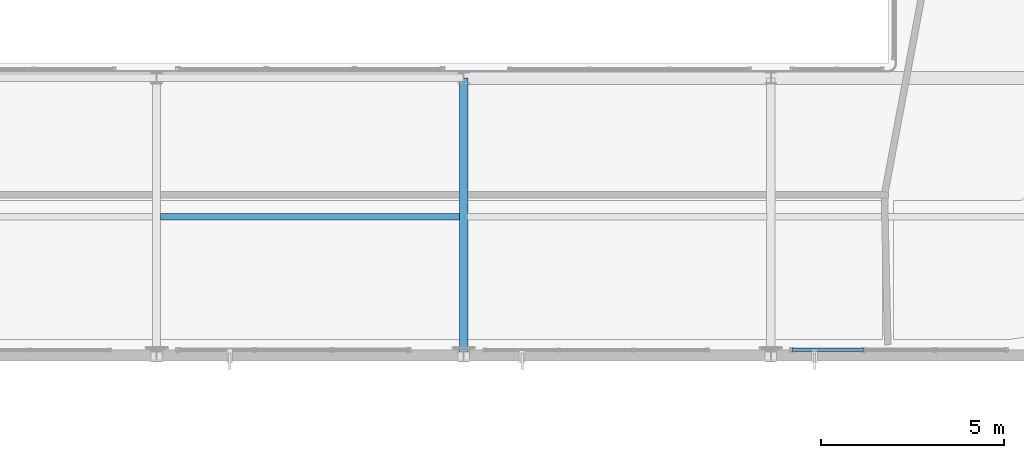
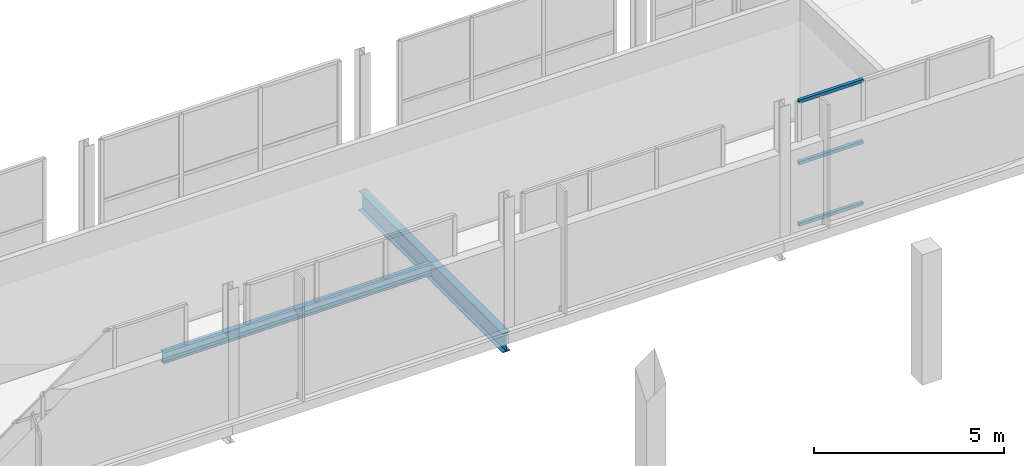
# One storey, part 84 of 151: 3 members, 2 beams, 1 element without a shape of its own.
"""IFC4 building model written with IfcOpenShell, lengths in metres."""

from ifc_helpers import new_model, si_unit, direction, frame, origin, origin_2d, place, context, subcontext, project, spatial, hollow_rectangle, i_section, extrude, material, material_profile, profile_set, type_object, element, aggregate, save


model = new_model("IFC4")

# Units and contexts
model_context = context("Model", 3, precision=1e-05, world=origin(), true_north=direction((0.0, 1.0)))
body_context = subcontext(model_context, "Body", "Model", "MODEL_VIEW")
ifc_project = project(units=[si_unit("LENGTHUNIT", "METRE"), si_unit("AREAUNIT", "SQUARE_METRE"), si_unit("VOLUMEUNIT", "CUBIC_METRE"), si_unit("PLANEANGLEUNIT", "RADIAN"), si_unit("MASSUNIT", "GRAM", prefix="KILO")], contexts=[model_context])

# Site, building, storey
site_placement = place(None, origin())
site = spatial("IfcSite", under=ifc_project, at=site_placement, CompositionType="ELEMENT")
building_placement = place(site_placement, origin())
building = spatial("IfcBuilding", under=site, at=building_placement, Name="Zuvorla Pavilion Media Centre", CompositionType="ELEMENT")
storey_placement = place(building_placement, frame((0.0, 0.0, 13.800048828125)))
storey = spatial("IfcBuildingStorey", under=building, at=storey_placement, Name="L03", CompositionType="ELEMENT", Elevation=13.800048828125)

# Beams
ifc_material_1 = material(Name="Steel S355", Category="steel")
ifc_material_profile_1 = material_profile(ifc_material_1, i_section(OverallWidth=0.172119140625, OverallDepth=0.35791015625, WebThickness=0.008056640625, FlangeThickness=0.012939453125, FilletRadius=0.01025390625, at=origin_2d()), Name="UB 356x171x57")
ifc_profile_set_1 = profile_set([ifc_material_profile_1], Name="Steel S355")
beam_type_1 = type_object("IfcBeamType", Name="BM-UB356", PredefinedType="JOIST", material=ifc_profile_set_1)
beam_1_placement = place(storey_placement, frame((134.109619140625, 47.800048828125, -0.43701171875), z_axis=(1.0, 0.0, 0.0), x_axis=(0.0, 1.0, 0.0)))
element("IfcBeam", 1, at=beam_1_placement, inside=storey, type_object=beam_type_1, Name="L03 joist J03 1283", PredefinedType="JOIST", context=body_context, shape_type="SweptSolid", body=[
    extrude(i_section(OverallWidth=0.172119140625, OverallDepth=0.35791015625, WebThickness=0.008056640625, FlangeThickness=0.012939453125, FilletRadius=0.01025390625, at=origin_2d()), origin(), (0.0, 0.0, 1.0), 8.180908203125),
])
ifc_material_profile_2 = material_profile(ifc_material_1, i_section(OverallWidth=0.22900390625, OverallDepth=0.6123046875, WebThickness=0.011962890625, FlangeThickness=0.01953125, FilletRadius=0.0126953125, at=origin_2d()), Name="UB 610x229x125")
ifc_profile_set_2 = profile_set([ifc_material_profile_2], Name="Steel S355")
beam_type_2 = type_object("IfcBeamType", Name="BM-UB610", PredefinedType="BEAM", material=ifc_profile_set_2)
beam_2_placement = place(storey_placement, frame((142.39990234375, 44.0, -0.564208984375), z_axis=(0.0, 1.0, 0.0), x_axis=(-1.0, 0.0, 0.0)))
element("IfcBeam", 2, at=beam_2_placement, inside=storey, type_object=beam_type_2, Name="L03 beam B07 1218", PredefinedType="BEAM", context=body_context, shape_type="SweptSolid", body=[
    extrude(i_section(OverallWidth=0.22900390625, OverallDepth=0.6123046875, WebThickness=0.011962890625, FlangeThickness=0.01953125, FilletRadius=0.0126953125, at=origin_2d()), origin(), (0.0, 0.0, 1.0), 7.60009765625),
])

# Curtain wall, members
ifc_material_2 = material(Name="Unitised anodised aluminium and solar glass curtain wall", Category="aluminium")
curtain_wall_type = type_object("IfcCurtainWallType", Name="CW-SYS-19", PredefinedType="USERDEFINED", material=ifc_material_2)
curtain_wall_placement = place(storey_placement, origin())
curtain_wall = element("IfcCurtainWall", 3, at=curtain_wall_placement, inside=storey, type_object=curtain_wall_type, Name="L03 curtain wall CW19 147", ObjectType="CURTAIN WALL", PredefinedType="USERDEFINED")
ifc_material_3 = material(Name="Anodised aluminium 6063-T6", Category="aluminium")
ifc_material_profile_3 = material_profile(ifc_material_3, hollow_rectangle(XDim=0.10009765625, YDim=0.10009765625, WallThickness=0.00439453125, at=origin_2d()), Name="ALU TRAN 100x100")
ifc_profile_set_3 = profile_set([ifc_material_profile_3], Name="Anodised aluminium 6063-T6")
member_type = type_object("IfcMemberType", Name="CW-TRAN-100", PredefinedType="USERDEFINED", material=ifc_profile_set_3)
member_1_placement = place(storey_placement, frame((151.3818359375, 44.159912109375, 0.0), z_axis=(1.0, 0.0, 0.0), x_axis=(0.0, 1.0, 0.0)))
member_1 = element("IfcMember", 4, at=member_1_placement, type_object=member_type, Name="CW19 transom 1.1", ObjectType="TRANSOM", PredefinedType="USERDEFINED", context=body_context, shape_type="SweptSolid", body=[
    extrude(hollow_rectangle(XDim=0.10009765625, YDim=0.10009765625, WallThickness=0.00439453125, at=origin_2d()), origin(), (0.0, 0.0, 1.0), 1.952880859375),
])
member_2_placement = place(storey_placement, frame((151.3818359375, 44.159912109375, 1.97998046875), z_axis=(1.0, 0.0, 0.0), x_axis=(0.0, 1.0, 0.0)))
member_2 = element("IfcMember", 5, at=member_2_placement, type_object=member_type, Name="CW19 transom 1.2", ObjectType="TRANSOM", PredefinedType="USERDEFINED", context=body_context, shape_type="SweptSolid", body=[
    extrude(hollow_rectangle(XDim=0.10009765625, YDim=0.10009765625, WallThickness=0.00439453125, at=origin_2d()), origin(), (0.0, 0.0, 1.0), 1.952880859375),
])
member_3_placement = place(storey_placement, frame((151.3818359375, 44.159912109375, 3.9599609375), z_axis=(1.0, 0.0, 0.0), x_axis=(0.0, 1.0, 0.0)))
member_3 = element("IfcMember", 6, at=member_3_placement, type_object=member_type, Name="CW19 transom 1.3", ObjectType="TRANSOM", PredefinedType="USERDEFINED", context=body_context, shape_type="SweptSolid", body=[
    extrude(hollow_rectangle(XDim=0.10009765625, YDim=0.10009765625, WallThickness=0.00439453125, at=origin_2d()), origin(), (0.0, 0.0, 1.0), 1.952880859375),
])
aggregate(curtain_wall, [member_1, member_2, member_3])

save(model, "model.ifc")
